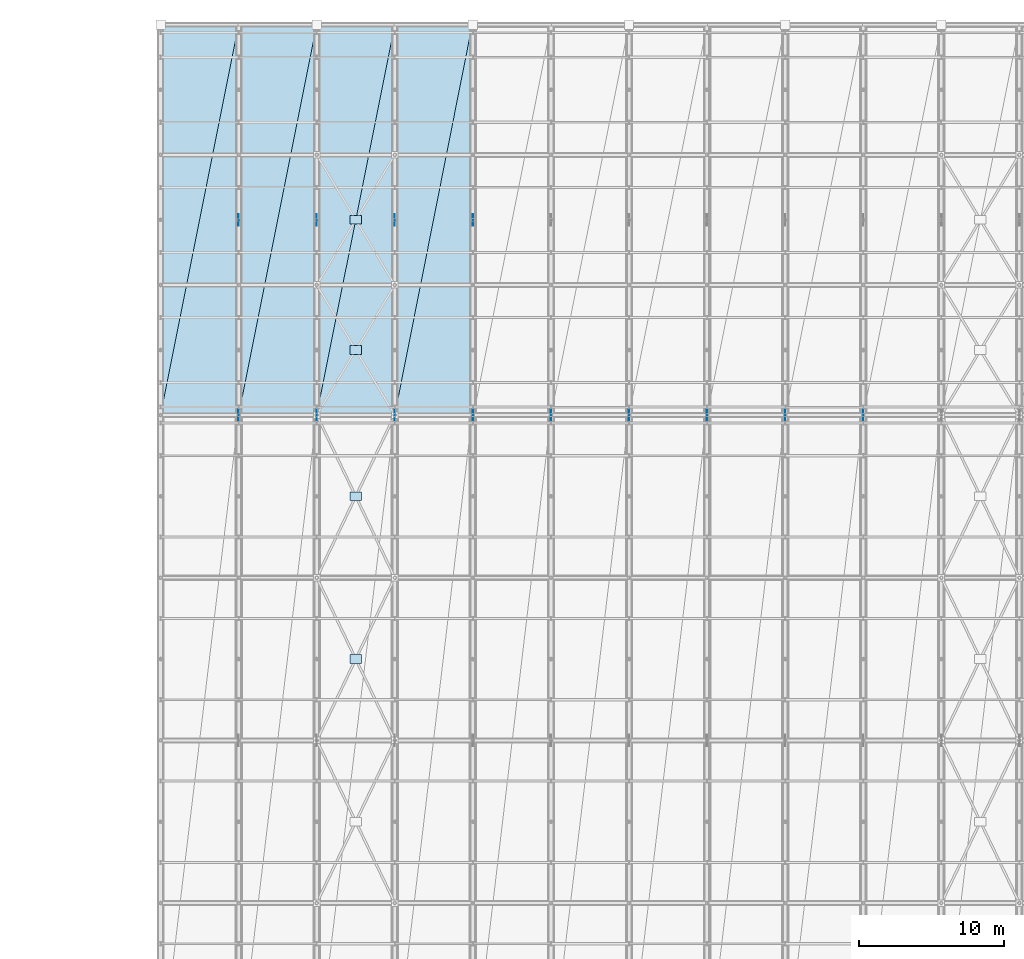
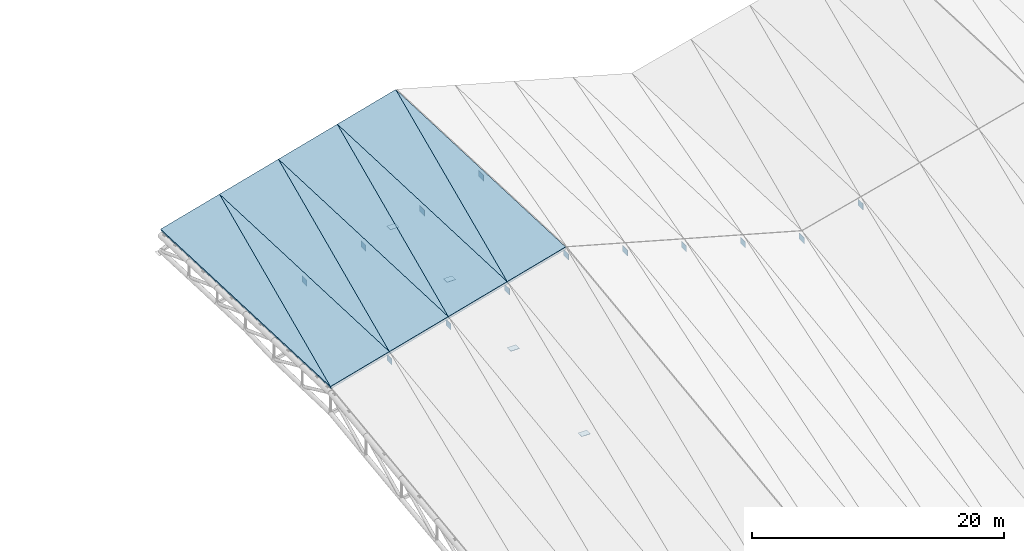
# One storey, part 98 of 109: 17 plates, 8 slabs.
"""IFC4 building model written with IfcOpenShell, lengths in metres."""

from ifc_helpers import new_model, si_unit, direction, frame, origin, origin_2d, place, context, subcontext, project, spatial, polyline, rectangle, outline, extrude, material, layer, layer_set, type_object, element, save


model = new_model("IFC4")

# Units and contexts
model_context = context("Model", 3, precision=1e-05, world=origin(), true_north=direction((0.0, 1.0)))
body_context = subcontext(model_context, "Body", "Model", "MODEL_VIEW")
ifc_project = project(units=[si_unit("LENGTHUNIT", "METRE"), si_unit("AREAUNIT", "SQUARE_METRE"), si_unit("VOLUMEUNIT", "CUBIC_METRE"), si_unit("PLANEANGLEUNIT", "RADIAN"), si_unit("MASSUNIT", "GRAM", prefix="KILO")], contexts=[model_context])

# Site, building, storey
site_placement = place(None, origin())
site = spatial("IfcSite", under=ifc_project, at=site_placement, CompositionType="ELEMENT")
building_placement = place(site_placement, origin())
building = spatial("IfcBuilding", under=site, at=building_placement, Name="Suirenkawa Promenade Aquatics Centre", CompositionType="ELEMENT")
storey_placement = place(building_placement, frame((0.0, 0.0, 22.800048828125)))
storey = spatial("IfcBuildingStorey", under=building, at=storey_placement, Name="ROOF", CompositionType="ELEMENT", Elevation=22.800048828125)

# Plates
ifc_material_1 = material(Name="Steel IS 2062 E350 (Grade 350)", Category="steel")
ifc_layer_1 = layer(ifc_material_1, 0.02392578125, Name="Steel IS 2062 E350 (Grade 350)", Category="steel")
ifc_layer_set_1 = layer_set([ifc_layer_1], Name="Steel IS 2062 E350 (Grade 350)")
plate_type = type_object("IfcPlateType", Name="PLT-GUSSET-800x600x24", PredefinedType="USERDEFINED", material=ifc_layer_set_1)
for number, where, z_axis, x_axis, name in (
    (1, (52.199951171875, 95.39990234375, -8.16015625), (0.0, 0.0, 1.0), (0.0, 1.0, 0.0), "Truss node plate TN-04 PLG-0004"),
    (2, (52.199951171875, 108.89990234375, -8.710205078125), (0.0, 0.0, 1.0), (0.0, 1.0, 0.0), "Truss node plate TN-04 PLG-0005"),
    (3, (57.60009765625, 95.39990234375, -6.66015625), (0.0, 0.0, 1.0), (0.0, 1.0, 0.0), "Truss node plate TN-04 PLG-0009"),
    (4, (57.60009765625, 108.89990234375, -7.210205078125), (0.0, 0.0, 1.0), (0.0, 1.0, 0.0), "Truss node plate TN-04 PLG-0010"),
    (5, (63.0, 95.39990234375, -5.16015625), (0.0, 0.0, 1.0), (0.0, 1.0, 0.0), "Truss node plate TN-04 PLG-0012"),
    (6, (63.0, 108.89990234375, -5.710205078125), (0.0, 0.0, 1.0), (0.0, 1.0, 0.0), "Truss node plate TN-04 PLG-0013"),
    (7, (68.39990234375, 95.39990234375, -3.66015625), (0.0, 0.0, 1.0), (0.0, 1.0, 0.0), "Truss node plate TN-04 PLG-0017"),
    (8, (68.39990234375, 108.89990234375, -4.210205078125), (0.0, 0.0, 1.0), (0.0, 1.0, 0.0), "Truss node plate TN-04 PLG-0018"),
    (9, (73.800048828125, 95.39990234375, -5.16015625), (0.0, 0.0, 1.0), (0.0, 1.0, 0.0), "Truss node plate TN-04 PLG-0020"),
    (10, (79.199951171875, 95.39990234375, -6.66015625), (0.0, 0.0, 1.0), (0.0, 1.0, 0.0), "Truss node plate TN-04 PLG-0025"),
    (11, (84.60009765625, 95.39990234375, -8.16015625), (0.0, 0.0, 1.0), (0.0, 1.0, 0.0), "Truss node plate TN-04 PLG-0028"),
    (12, (90.0, 95.39990234375, -9.66015625), (0.0, 0.0, 1.0), (0.0, 1.0, 0.0), "Truss node plate TN-04 PLG-0033"),
    (13, (95.39990234375, 95.39990234375, -8.260009765625), (0.0, 0.0, 1.0), (0.0, 1.0, 0.0), "Truss node plate TN-04 PLG-0036"),
):
    element("IfcPlate", number, at=place(storey_placement, frame(where, z_axis=z_axis, x_axis=x_axis)), inside=storey, type_object=plate_type, Name=name, ObjectType="GUSSET", PredefinedType="USERDEFINED", context=body_context, shape_type="SweptSolid", body=[
        extrude(rectangle(XDim=0.800048828125, YDim=0.02392578125, at=origin_2d()), origin(), (0.0, 0.0, 1.0), 0.60009765625),
    ])
for number, where, z_axis, x_axis, name in (
    (14, (60.300048828125, 78.52490234375, -7.636962890625), (0.0, 0.0, 1.0), (1.0, 0.0, 0.0), "Truss node plate TN-04 PLG-0085"),
    (15, (60.300048828125, 89.77490234375, -6.18701171875), (0.0, 0.0, 1.0), (1.0, 0.0, 0.0), "Truss node plate TN-04 PLG-0088"),
    (16, (60.300048828125, 99.89990234375, -5.64599609375), (0.0, 0.0, 1.0), (1.0, 0.0, 0.0), "Truss node plate TN-04 PLG-0091"),
    (17, (60.300048828125, 108.89990234375, -6.011962890625), (0.0, 0.0, 1.0), (1.0, 0.0, 0.0), "Truss node plate TN-04 PLG-0094"),
):
    element("IfcPlate", number, at=place(storey_placement, frame(where, z_axis=z_axis, x_axis=x_axis)), inside=storey, type_object=plate_type, Name=name, ObjectType="GUSSET", PredefinedType="USERDEFINED", context=body_context, shape_type="SweptSolid", body=[
        extrude(rectangle(XDim=0.800048828125, YDim=0.60009765625, at=origin_2d()), origin(), (0.0, 0.0, 1.0), 0.02392578125),
    ])

# Slabs
ifc_material_2 = material(Name="Concrete M35", Category="concrete")
ifc_layer_2 = layer(ifc_material_2, 0.239990234375, Name="Concrete M35", Category="concrete")
ifc_layer_set_2 = layer_set([ifc_layer_2], Name="Concrete M35")
slab_type = type_object("IfcSlabType", Name="SLT-ROOF-V1-240", PredefinedType="ROOF", material=ifc_layer_set_2)
slab_1_placement = place(storey_placement, frame((46.800048828125, 95.422119140625, -8.60009765625), z_axis=(-0.267442100685, 0.039251206321, 0.96277415087), x_axis=(0.963516661409, 0.0, 0.267648357342)))
element("IfcSlab", 18, at=slab_1_placement, inside=storey, type_object=slab_type, Name="Folded roof facet SL-ROOF-01 SL-V1-RFN-01-1", PredefinedType="ROOF", context=body_context, shape_type="SweptSolid", body=[
    extrude(outline(polyline([(0.0, 0.0), (5.604368414195907, 6.938893903907228e-18), (5.309994427421841, 26.998589005104638), (0.0, 0.0)])), origin(), (0.0, 0.0, -1.0), 0.239990234375),
])
slab_2_placement = place(storey_placement, frame((46.800048828125, 95.422119140625, -8.60009765625), z_axis=(-0.267442100685, 0.039251206321, 0.96277415087), x_axis=(0.196247254526, 0.980446598804, 0.014542420208)))
element("IfcSlab", 19, at=slab_2_placement, inside=storey, type_object=slab_type, Name="Folded roof facet SL-ROOF-01 SL-V1-RFN-01-2", PredefinedType="ROOF", context=body_context, shape_type="SweptSolid", body=[
    extrude(outline(polyline([(0.0, 0.0), (27.515810892754146, 3.469446951953614e-16), (26.43428125277411, 5.4990216366078615), (0.0, 0.0)])), origin(), (0.0, 0.0, -1.0), 0.239990234375),
])
slab_3_placement = place(storey_placement, frame((52.199951171875, 95.422119140625, -7.10009765625), z_axis=(-0.267430874389, 0.039251333244, 0.962777264097), x_axis=(0.963519781844, 0.0, 0.267637123724)))
element("IfcSlab", 20, at=slab_3_placement, inside=storey, type_object=slab_type, Name="Folded roof facet SL-ROOF-01 SL-V1-RFN-02-1", PredefinedType="ROOF", context=body_context, shape_type="SweptSolid", body=[
    extrude(outline(polyline([(0.0, 0.0), (5.604603648136742, -6.938893903907228e-18), (5.310242016697207, 26.99858913981585), (0.0, 0.0)])), origin(), (0.0, 0.0, -1.0), 0.239990234375),
])
slab_4_placement = place(storey_placement, frame((52.199951171875, 95.422119140625, -7.10009765625), z_axis=(-0.267430874389, 0.039251333244, 0.962777264097), x_axis=(0.196255785527, 0.980444891566, 0.014542394886)))
element("IfcSlab", 21, at=slab_4_placement, inside=storey, type_object=slab_type, Name="Folded roof facet SL-ROOF-01 SL-V1-RFN-02-2", PredefinedType="ROOF", context=body_context, shape_type="SweptSolid", body=[
    extrude(outline(polyline([(0.0, 0.0), (27.515858805722907, 1.1102230246251565e-16), (26.434235223140774, 5.4992429004645595), (0.0, 0.0)])), origin(), (0.0, 0.0, -1.0), 0.239990234375),
])
slab_5_placement = place(storey_placement, frame((57.60009765625, 95.422119140625, -5.60009765625), z_axis=(-0.267442100685, 0.039251206321, 0.96277415087), x_axis=(0.963516661409, 0.0, 0.267648357342)))
element("IfcSlab", 22, at=slab_5_placement, inside=storey, type_object=slab_type, Name="Folded roof facet SL-ROOF-01 SL-V1-RFN-03-1", PredefinedType="ROOF", context=body_context, shape_type="SweptSolid", body=[
    extrude(outline(polyline([(0.0, 0.0), (5.604368414195907, 6.938893903907228e-18), (5.309994427421841, 26.998589005104638), (0.0, 0.0)])), origin(), (0.0, 0.0, -1.0), 0.239990234375),
])
slab_6_placement = place(storey_placement, frame((57.60009765625, 95.422119140625, -5.60009765625), z_axis=(-0.267442100685, 0.039251206321, 0.96277415087), x_axis=(0.196247254526, 0.980446598804, 0.014542420208)))
element("IfcSlab", 23, at=slab_6_placement, inside=storey, type_object=slab_type, Name="Folded roof facet SL-ROOF-01 SL-V1-RFN-03-2", PredefinedType="ROOF", context=body_context, shape_type="SweptSolid", body=[
    extrude(outline(polyline([(0.0, 0.0), (27.515810892754146, 3.469446951953614e-16), (26.43428125277411, 5.4990216366078615), (0.0, 0.0)])), origin(), (0.0, 0.0, -1.0), 0.239990234375),
])
slab_7_placement = place(storey_placement, frame((63.0, 95.422119140625, -4.10009765625), z_axis=(-0.267528081153, 0.039258932181, 0.962749947826), x_axis=(0.963492732357, 0.0, 0.267734485443)))
element("IfcSlab", 24, at=slab_7_placement, inside=storey, type_object=slab_type, Name="Folded roof facet SL-ROOF-01 SL-V1-RFN-04-1", PredefinedType="ROOF", context=body_context, shape_type="SweptSolid", body=[
    extrude(outline(polyline([(0.0, 0.0), (5.557883613352395, 6.938893903907228e-18), (5.263349533418852, 26.998597205852345), (0.0, 0.0)])), origin(), (0.0, 0.0, -1.0), 0.239990234375),
])
slab_8_placement = place(storey_placement, frame((63.0, 95.422119140625, -4.10009765625), z_axis=(-0.26748742036, 0.039250693886, 0.962761581586), x_axis=(0.19467803105, 0.980765802364, 0.014103373363)))
element("IfcSlab", 25, at=slab_8_placement, inside=storey, type_object=slab_type, Name="Folded roof facet SL-ROOF-01 SL-V1-RFN-04-2", PredefinedType="ROOF", context=body_context, shape_type="SweptSolid", body=[
    extrude(outline(polyline([(0.0, 0.0), (27.50685549812625, 5.134781488891349e-16), (26.44337554443446, 5.455121825097183), (0.0, 0.0)])), origin(), (0.0, 0.0, -1.0), 0.239990234375),
])

save(model, "model.ifc")
